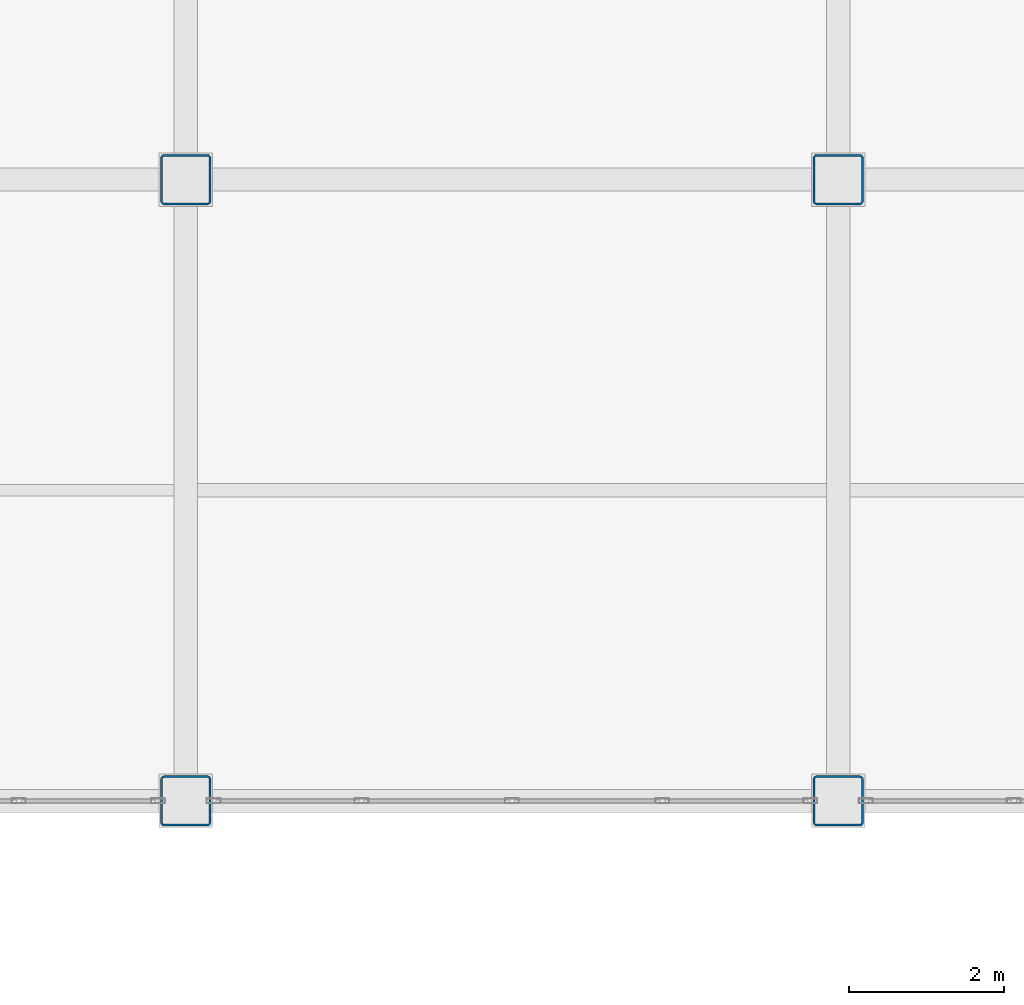
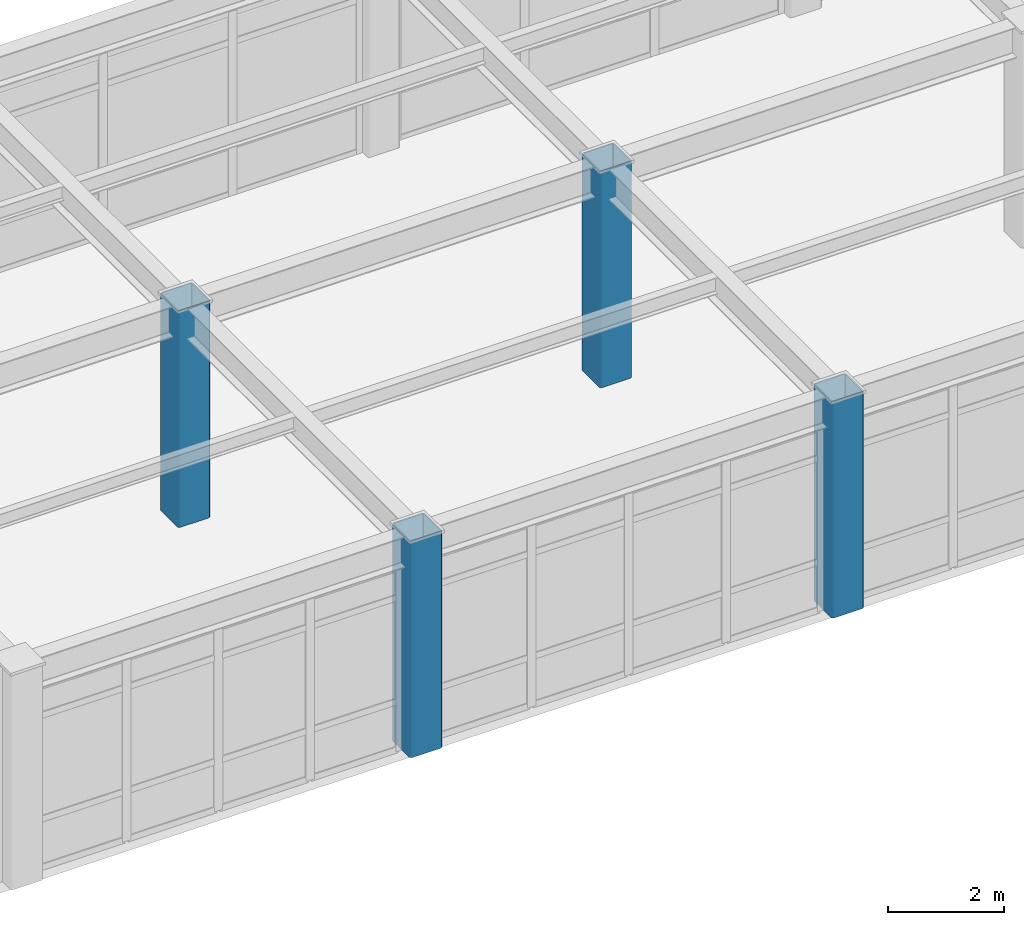
# One storey, part 5 of 93: 4 columns.
"""IFC4 building model written with IfcOpenShell, lengths in metres."""

from ifc_helpers import new_model, si_unit, direction, frame, origin, origin_2d, place, context, subcontext, project, spatial, hollow_rectangle, extrude, material, material_profile, profile_set, type_object, element, save


model = new_model("IFC4")

# Units and contexts
model_context = context("Model", 3, precision=1e-05, world=origin(), true_north=direction((0.0, 1.0)))
body_context = subcontext(model_context, "Body", "Model", "MODEL_VIEW")
ifc_project = project(units=[si_unit("LENGTHUNIT", "METRE"), si_unit("AREAUNIT", "SQUARE_METRE"), si_unit("VOLUMEUNIT", "CUBIC_METRE"), si_unit("PLANEANGLEUNIT", "RADIAN"), si_unit("MASSUNIT", "GRAM", prefix="KILO")], contexts=[model_context])

# Site, building, storey
site_placement = place(None, origin())
site = spatial("IfcSite", under=ifc_project, at=site_placement, CompositionType="ELEMENT")
building_placement = place(site_placement, origin())
building = spatial("IfcBuilding", under=site, at=building_placement, Name="Kazehara Bluff Congress Hotel", CompositionType="ELEMENT")
storey_placement = place(building_placement, frame((0.0, 0.0, 15.0)))
storey = spatial("IfcBuildingStorey", under=building, at=storey_placement, Name="L03", CompositionType="ELEMENT", Elevation=15.0)

# Columns
ifc_material = material(Name="Steel BCR295", Category="steel")
ifc_material_profile = material_profile(ifc_material, hollow_rectangle(XDim=0.64990234375, YDim=0.64990234375, WallThickness=0.02490234375, InnerFilletRadius=0.02490234375, OuterFilletRadius=0.050048828125, at=origin_2d()))
ifc_profile_set = profile_set([ifc_material_profile], Name="Steel BCR295")
column_type = type_object("IfcColumnType", Name="TP-C-04", PredefinedType="COLUMN", material=ifc_profile_set)
for number, where, z_axis, x_axis, name in (
    (1, (118.5, 16.0, 0.0), (0.0, 0.0, 1.0), (1.0, 0.0, 0.0), "L03 column C-04 (118.50,16.00)"),
    (2, (118.5, 24.0, 0.0), (0.0, 0.0, 1.0), (1.0, 0.0, 0.0), "L03 column C-04 (118.50,24.00)"),
    (3, (126.89990234375, 16.0, 0.0), (0.0, 0.0, 1.0), (1.0, 0.0, 0.0), "L03 column C-04 (126.90,16.00)"),
    (4, (126.89990234375, 24.0, 0.0), (0.0, 0.0, 1.0), (1.0, 0.0, 0.0), "L03 column C-04 (126.90,24.00)"),
):
    element("IfcColumn", number, at=place(storey_placement, frame(where, z_axis=z_axis, x_axis=x_axis)), inside=storey, type_object=column_type, Name=name, PredefinedType="COLUMN", context=body_context, shape_type="SweptSolid", body=[
        extrude(hollow_rectangle(XDim=0.64990234375, YDim=0.64990234375, WallThickness=0.02490234375, InnerFilletRadius=0.02490234375, OuterFilletRadius=0.050048828125, at=origin_2d()), origin(), (0.0, 0.0, 1.0), 4.56005859375),
    ])

save(model, "model.ifc")
